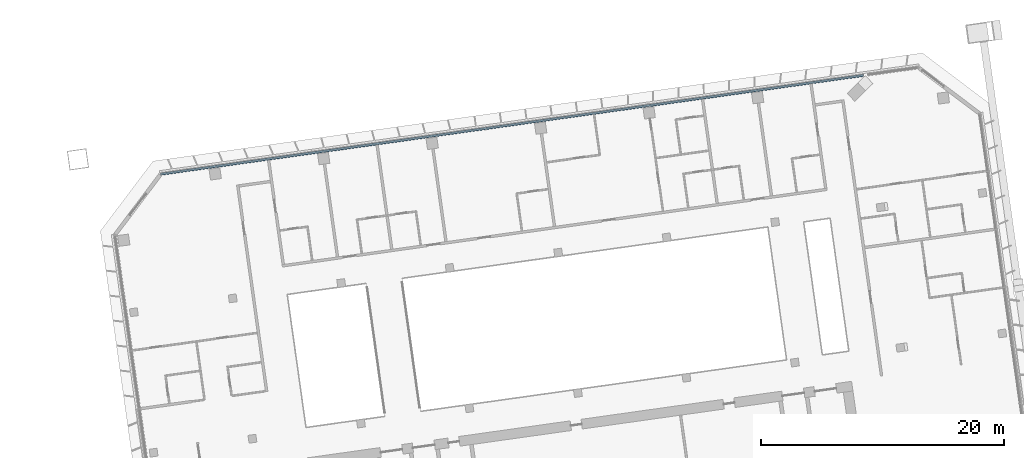
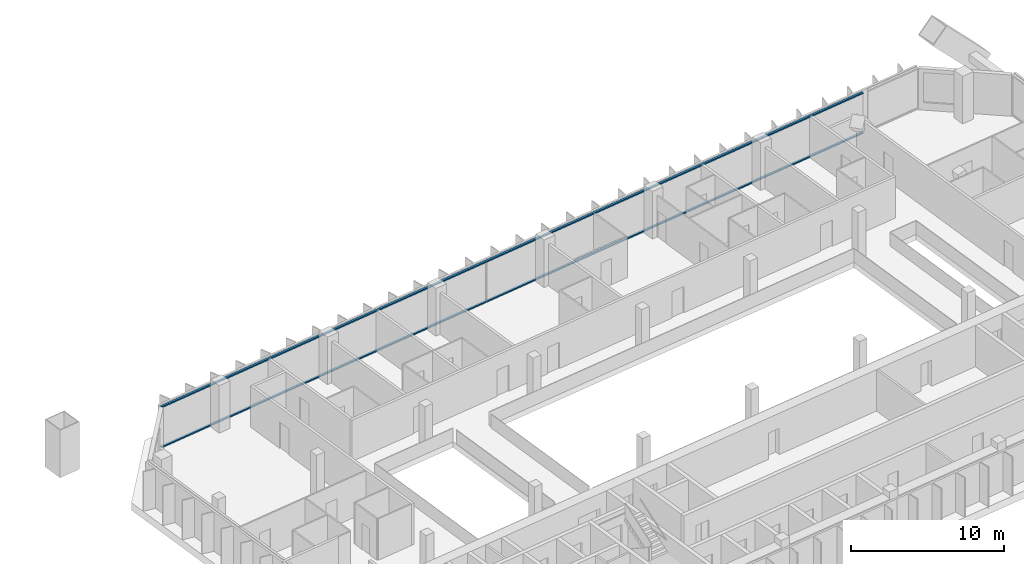
# One storey, part 11 of 34: 2 members, 1 element without a shape of its own.
"""IFC4 building model written with IfcOpenShell, lengths in metres."""

from ifc_helpers import new_model, si_unit, direction, frame, origin, origin_2d, place, context, subcontext, project, spatial, rectangle, extrude, material, material_profile, profile_set, type_object, element, aggregate, save


model = new_model("IFC4")

# Units and contexts
model_context = context("Model", 3, precision=1e-05, world=origin(), true_north=direction((0.0, 1.0)))
body_context = subcontext(model_context, "Body", "Model", "MODEL_VIEW")
ifc_project = project(units=[si_unit("LENGTHUNIT", "METRE"), si_unit("AREAUNIT", "SQUARE_METRE"), si_unit("VOLUMEUNIT", "CUBIC_METRE"), si_unit("PLANEANGLEUNIT", "RADIAN"), si_unit("MASSUNIT", "GRAM", prefix="KILO")], contexts=[model_context])

# Site, building, storey
site_placement = place(None, origin())
site = spatial("IfcSite", under=ifc_project, at=site_placement, CompositionType="ELEMENT")
building_placement = place(site_placement, origin())
building = spatial("IfcBuilding", under=site, at=building_placement, Name="Mirante Cascada Hotel Towers", CompositionType="ELEMENT")
storey_placement = place(building_placement, frame((0.0, 0.0, 148.1)))
storey = spatial("IfcBuildingStorey", under=building, at=storey_placement, Name="L34", CompositionType="ELEMENT", Elevation=148.1)

# Curtain wall, members
ifc_material_1 = material(Name="Aluminium mullion and transom frame with clear laminated glass", Category="aluminium")
curtain_wall_type = type_object("IfcCurtainWallType", Name="Ribbon curtain wall ECW1", PredefinedType="NOTDEFINED", material=ifc_material_1)
curtain_wall_placement = place(storey_placement, origin())
curtain_wall = element("IfcCurtainWall", 1, at=curtain_wall_placement, inside=storey, type_object=curtain_wall_type, Name="Front ribbon wall T2 L34", PredefinedType="NOTDEFINED")
ifc_material_2 = material(Name="Anodised aluminium extrusion", Category="aluminium")
ifc_material_profile = material_profile(ifc_material_2, rectangle(XDim=0.16, YDim=0.1, at=origin_2d()), Name="ECW1 TRANSOM 100x160")
ifc_profile_set = profile_set([ifc_material_profile], Name="Anodised aluminium extrusion")
member_type = type_object("IfcMemberType", Name="ECW1 transom 100x160", PredefinedType="USERDEFINED", material=ifc_profile_set)
member_1_placement = place(storey_placement, frame((89.612, 25.4132, 0.05), z_axis=(-0.9902681, -0.1391732, 0.0), x_axis=(0.1391732, -0.9902681, 0.0)))
member_1 = element("IfcMember", 2, at=member_1_placement, type_object=member_type, Name="ECW1 sill transom", ObjectType="TRANSOM", PredefinedType="USERDEFINED", context=body_context, shape_type="SweptSolid", body=[
    extrude(rectangle(XDim=0.16, YDim=0.1, at=origin_2d()), origin(), (0.0, 0.0, 1.0), 58.2849),
])
member_2_placement = place(storey_placement, frame((89.612, 25.4132, 3.25), z_axis=(-0.9902681, -0.1391732, 0.0), x_axis=(0.1391732, -0.9902681, 0.0)))
member_2 = element("IfcMember", 3, at=member_2_placement, type_object=member_type, Name="ECW1 head transom", ObjectType="TRANSOM", PredefinedType="USERDEFINED", context=body_context, shape_type="SweptSolid", body=[
    extrude(rectangle(XDim=0.16, YDim=0.1, at=origin_2d()), origin(), (0.0, 0.0, 1.0), 58.2849),
])
aggregate(curtain_wall, [member_1, member_2])

save(model, "model.ifc")
